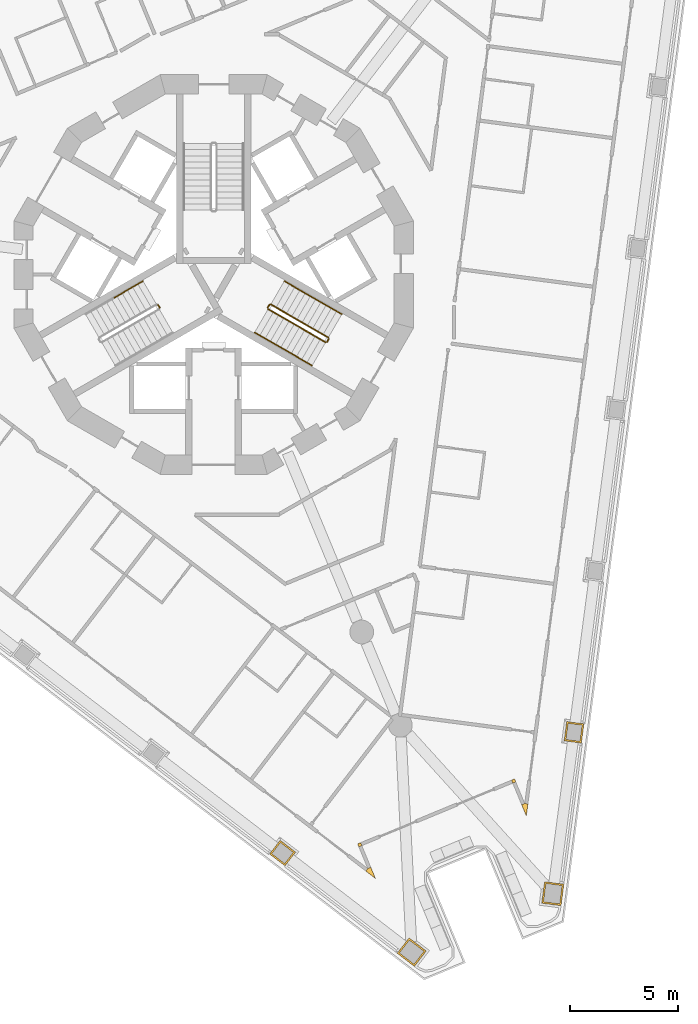
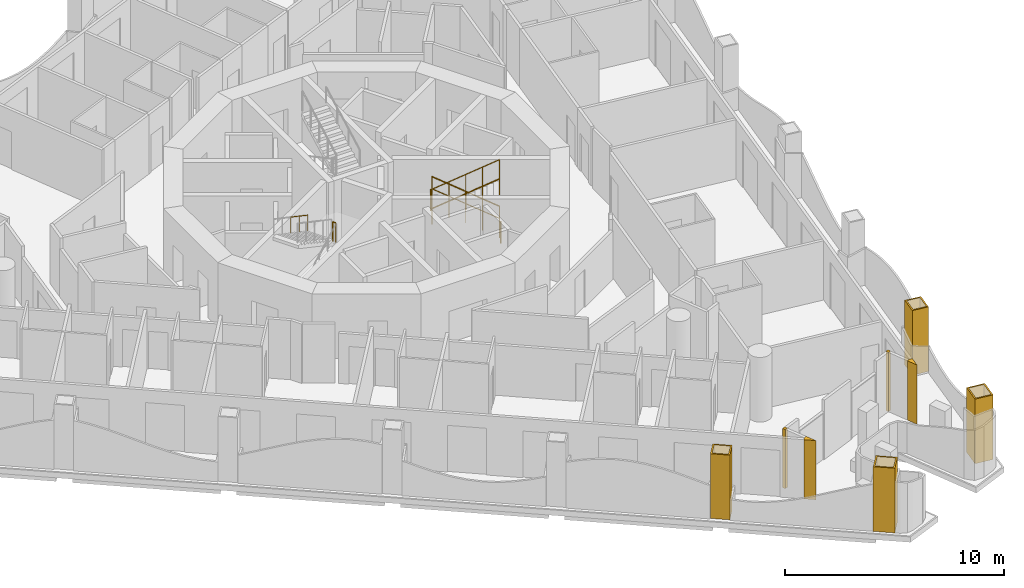
# One storey, part 14 of 18: 10 railings, 8 coverings.
"""IFC4 building model written with IfcOpenShell, lengths in metres."""

from ifc_helpers import new_model, si_unit, direction, frame, origin, origin_2d, place, context, subcontext, project, spatial, polyline, circle, outline, extrude, material, layer, layer_set, type_object, element, save


model = new_model("IFC4")

# Units and contexts
model_context = context("Model", 3, precision=1e-05, world=origin(), true_north=direction((0.0, 1.0)))
body_context = subcontext(model_context, "Body", "Model", "MODEL_VIEW")
ifc_project = project(units=[si_unit("LENGTHUNIT", "METRE"), si_unit("AREAUNIT", "SQUARE_METRE"), si_unit("VOLUMEUNIT", "CUBIC_METRE"), si_unit("PLANEANGLEUNIT", "RADIAN"), si_unit("MASSUNIT", "GRAM", prefix="KILO")], contexts=[model_context])

# Site, building, storey
site_placement = place(None, origin())
site = spatial("IfcSite", under=ifc_project, at=site_placement, CompositionType="ELEMENT")
building_placement = place(site_placement, origin())
building = spatial("IfcBuilding", under=site, at=building_placement, Name="Trine Commons Tower", CompositionType="ELEMENT")
storey_placement = place(building_placement, frame((0.0, 0.0, 142.199951171875)))
storey = spatial("IfcBuildingStorey", under=building, at=storey_placement, Name="L36", CompositionType="ELEMENT", Elevation=142.199951171875)

# Coverings
ifc_material_1 = material(Name="Aluminium-framed insulated wall panel", Category="aluminium")
ifc_layer_1 = layer(ifc_material_1, 0.14990234375)
ifc_layer_set_1 = layer_set([ifc_layer_1], Name="Aluminium-framed insulated wall panel")
covering_type_1 = type_object("IfcCoveringType", Name="Glazing corner post, aluminium", PredefinedType="CLADDING", material=ifc_layer_set_1)
covering_1_placement = place(storey_placement, origin())
element("IfcCovering", 1, at=covering_1_placement, inside=storey, type_object=covering_type_1, Name="Glazing corner post 4-09", PredefinedType="CLADDING", context=body_context, shape_type="SweptSolid", body=[
    extrude(outline(polyline([(94.2939453125, 37.89501953125), (94.50830078125, 37.377685546875), (94.581298828125, 37.932861328125), (94.4326171875, 37.952392578125), (94.4326171875, 37.952392578125), (94.2939453125, 37.89501953125)])), origin(), (0.0, 0.0, 1.0), 3.300048828125),
])
covering_2_placement = place(storey_placement, origin())
element("IfcCovering", 2, at=covering_2_placement, inside=storey, type_object=covering_type_1, Name="Glazing corner post 4-10", PredefinedType="CLADDING", context=body_context, shape_type="SweptSolid", body=[
    extrude(outline(polyline([(93.821044921875, 39.03662109375), (93.87841796875, 38.89794921875), (93.87841796875, 38.89794921875), (94.01708984375, 38.955322265625), (93.959716796875, 39.093994140625), (93.821044921875, 39.03662109375)])), origin(), (0.0, 0.0, 1.0), 3.300048828125),
])
covering_3_placement = place(storey_placement, origin())
element("IfcCovering", 3, at=covering_3_placement, inside=storey, type_object=covering_type_1, Name="Glazing corner post 4-11", PredefinedType="CLADDING", context=body_context, shape_type="SweptSolid", body=[
    extrude(outline(polyline([(86.73681640625, 35.93994140625), (86.87548828125, 35.997314453125), (86.818115234375, 36.135986328125), (86.679443359375, 36.07861328125), (86.73681640625, 35.93994140625)])), origin(), (0.0, 0.0, 1.0), 3.300048828125),
])
covering_4_placement = place(storey_placement, origin())
element("IfcCovering", 4, at=covering_4_placement, inside=storey, type_object=covering_type_1, Name="Glazing corner post 4-12", PredefinedType="CLADDING", context=body_context, shape_type="SweptSolid", body=[
    extrude(outline(polyline([(87.06103515625, 34.81787109375), (87.505126953125, 34.47705078125), (87.291015625, 34.994140625), (87.15234375, 34.936767578125), (87.06103515625, 34.81787109375)])), origin(), (0.0, 0.0, 1.0), 3.300048828125),
])
ifc_material_2 = material(Name="Limestone, honed", Category="masonry")
ifc_layer_2 = layer(ifc_material_2, 0.074951171875)
ifc_layer_set_2 = layer_set([ifc_layer_2], Name="Limestone, honed")
covering_type_2 = type_object("IfcCoveringType", Name="Limestone column cladding 75", PredefinedType="CLADDING", material=ifc_layer_set_2)
covering_5_placement = place(storey_placement, origin())
element("IfcCovering", 5, at=covering_5_placement, inside=storey, type_object=covering_type_2, Name="Limestone pier cladding 4-01", PredefinedType="CLADDING", context=body_context, shape_type="SweptSolid", body=[
    extrude(outline(polyline([(89.065673828125, 31.716796875), (88.517578125, 31.002685546875), (89.31103515625, 30.39404296875), (89.85888671875, 31.10791015625), (89.065673828125, 31.716796875)]), holes=[polyline([(89.079345703125, 31.611572265625), (88.622802734375, 31.0166015625), (89.297119140625, 30.499267578125), (89.75390625, 31.09423828125), (89.079345703125, 31.611572265625)])]), origin(), (0.0, 0.0, 1.0), 3.60009765625),
])
covering_6_placement = place(storey_placement, origin())
element("IfcCovering", 6, at=covering_6_placement, inside=storey, type_object=covering_type_2, Name="Limestone pier cladding 4-02", PredefinedType="CLADDING", context=body_context, shape_type="SweptSolid", body=[
    extrude(outline(polyline([(83.08349609375, 36.243896484375), (82.596435546875, 35.609375), (83.310302734375, 35.061279296875), (83.79736328125, 35.696044921875), (83.08349609375, 36.243896484375)]), holes=[polyline([(83.09716796875, 36.138916015625), (82.701416015625, 35.623046875), (83.296630859375, 35.16650390625), (83.6923828125, 35.682373046875), (83.09716796875, 36.138916015625)])]), origin(), (0.0, 0.0, 1.0), 3.60009765625),
])
covering_7_placement = place(storey_placement, origin())
element("IfcCovering", 7, at=covering_7_placement, inside=storey, type_object=covering_type_2, Name="Limestone pier cladding 4-23", PredefinedType="CLADDING", context=body_context, shape_type="SweptSolid", body=[
    extrude(outline(polyline([(97.1787109375, 41.6494140625), (96.385498046875, 41.75390625), (96.26806640625, 40.86181640625), (97.06103515625, 40.757080078125), (97.1787109375, 41.6494140625)]), holes=[polyline([(97.094482421875, 41.5849609375), (96.449951171875, 41.669921875), (96.35205078125, 40.92626953125), (96.99658203125, 40.84130859375), (97.094482421875, 41.5849609375)])]), origin(), (0.0, 0.0, 1.0), 3.60009765625),
])
covering_8_placement = place(storey_placement, origin())
element("IfcCovering", 8, at=covering_8_placement, inside=storey, type_object=covering_type_2, Name="Limestone pier cladding 4-24", PredefinedType="CLADDING", context=body_context, shape_type="SweptSolid", body=[
    extrude(outline(polyline([(96.2490234375, 34.205078125), (95.356689453125, 34.32275390625), (95.226318359375, 33.331298828125), (96.118408203125, 33.213623046875), (96.2490234375, 34.205078125)]), holes=[polyline([(96.164794921875, 34.140625), (95.42138671875, 34.238525390625), (95.310302734375, 33.395751953125), (96.053955078125, 33.2978515625), (96.164794921875, 34.140625)])]), origin(), (0.0, 0.0, 1.0), 3.60009765625),
])

# Railings
ifc_material_3 = material(Name="Stainless steel balustrade", Category="steel")
railing_type_1 = type_object("IfcRailingType", Name="Stair guard, steel balustrade 1100", PredefinedType="GUARDRAIL", material=ifc_material_3)
railing_1_placement = place(storey_placement, frame((77.490966796875, 60.96484375, 1.800048828125)))
element("IfcRailing", 9, at=railing_1_placement, inside=storey, type_object=railing_type_1, Name="L36 ST2B stair guard 2", PredefinedType="GUARDRAIL", context=body_context, shape_type="SweptSolid", body=[
    extrude(circle(Radius=0.02392578125, at=origin_2d()), frame((0.0, 0.0, 1.076171875), z_axis=(-0.501036270542, 0.865426285481, 0.0), x_axis=(-0.865426285481, -0.501036270542, 0.0)), (0.0, 0.0, 1.0), 0.150146484375),
    extrude(circle(Radius=0.02099609375, at=origin_2d()), origin(), (0.0, 0.0, 1.0), 1.052001953125),
    extrude(circle(Radius=0.02099609375, at=origin_2d()), frame((-0.0751953125, 0.1298828125, 0.0)), (0.0, 0.0, 1.0), 1.052001953125),
])
railing_2_placement = place(storey_placement, frame((85.31982421875, 59.572998046875, 0.150146484375)))
element("IfcRailing", 10, at=railing_2_placement, inside=storey, type_object=railing_type_1, Name="L36 ST3B stair guard 1", PredefinedType="GUARDRAIL", context=body_context, shape_type="SweptSolid", body=[
    extrude(circle(Radius=0.02392578125, at=origin_2d()), frame((0.0, 0.0, 1.076171875), z_axis=(-0.76340495495, 0.440743040072, 0.472184759798), x_axis=(-0.499992328818, -0.866029832698, 0.0)), (0.0, 0.0, 1.0), 3.494140625),
    extrude(circle(Radius=0.02099609375, at=origin_2d()), origin(), (0.0, 0.0, 1.0), 1.052001953125),
    extrude(circle(Radius=0.02099609375, at=origin_2d()), frame((-0.6669921875, 0.385009765625, 0.41259765625)), (0.0, 0.0, 1.0), 1.052001953125),
    extrude(circle(Radius=0.02099609375, at=origin_2d()), frame((-1.333740234375, 0.77001953125, 0.824951171875)), (0.0, 0.0, 1.0), 1.052001953125),
    extrude(circle(Radius=0.02099609375, at=origin_2d()), frame((-2.00048828125, 1.155029296875, 1.2373046875)), (0.0, 0.0, 1.0), 1.052001953125),
    extrude(circle(Radius=0.02099609375, at=origin_2d()), frame((-2.66748046875, 1.5400390625, 1.64990234375)), (0.0, 0.0, 1.0), 1.052001953125),
])
railing_3_placement = place(storey_placement, frame((82.584228515625, 61.0947265625, 1.800048828125)))
element("IfcRailing", 11, at=railing_3_placement, inside=storey, type_object=railing_type_1, Name="L36 ST3B stair guard 2", PredefinedType="GUARDRAIL", context=body_context, shape_type="SweptSolid", body=[
    extrude(circle(Radius=0.02392578125, at=origin_2d()), frame((0.0, 0.0, 1.076171875), z_axis=(-0.501036270542, -0.865426285481, 0.0), x_axis=(0.865426285481, -0.501036270542, 0.0)), (0.0, 0.0, 1.0), 0.150146484375),
    extrude(circle(Radius=0.02099609375, at=origin_2d()), origin(), (0.0, 0.0, 1.0), 1.052001953125),
    extrude(circle(Radius=0.02099609375, at=origin_2d()), frame((-0.0751953125, -0.1298828125, 0.0)), (0.0, 0.0, 1.0), 1.052001953125),
])
railing_4_placement = place(storey_placement, frame((82.52734375, 60.896484375, 1.949951171875)))
element("IfcRailing", 12, at=railing_4_placement, inside=storey, type_object=railing_type_1, Name="L36 ST3B stair guard 3", PredefinedType="GUARDRAIL", context=body_context, shape_type="SweptSolid", body=[
    extrude(circle(Radius=0.02392578125, at=origin_2d()), frame((0.0, 0.0, 1.076171875), z_axis=(0.763379768245, -0.440728498818, 0.472239049384), x_axis=(0.499992328818, 0.866029832698, 0.0)), (0.0, 0.0, 1.0), 3.494384765625),
    extrude(circle(Radius=0.02099609375, at=origin_2d()), origin(), (0.0, 0.0, 1.0), 1.052001953125),
    extrude(circle(Radius=0.02099609375, at=origin_2d()), frame((0.6669921875, -0.385009765625, 0.41259765625)), (0.0, 0.0, 1.0), 1.052001953125),
    extrude(circle(Radius=0.02099609375, at=origin_2d()), frame((1.333740234375, -0.77001953125, 0.8251953125)), (0.0, 0.0, 1.0), 1.052001953125),
    extrude(circle(Radius=0.02099609375, at=origin_2d()), frame((2.00048828125, -1.155029296875, 1.237548828125)), (0.0, 0.0, 1.0), 1.052001953125),
    extrude(circle(Radius=0.02099609375, at=origin_2d()), frame((2.66748046875, -1.5400390625, 1.650146484375)), (0.0, 0.0, 1.0), 1.052001953125),
])
railing_5_placement = place(storey_placement, frame((85.338134765625, 59.504638671875, 0.0)))
element("IfcRailing", 13, at=railing_5_placement, inside=storey, type_object=railing_type_1, Name="L36 ST3B stair guard 4", PredefinedType="GUARDRAIL", context=body_context, shape_type="SweptSolid", body=[
    extrude(circle(Radius=0.02392578125, at=origin_2d()), frame((0.0, 0.0, 1.076171875), z_axis=(-0.499816412211, -0.866131372301, 0.0), x_axis=(0.866131372301, -0.499816412211, 0.0)), (0.0, 0.0, 1.0), 0.14990234375),
    extrude(circle(Radius=0.02099609375, at=origin_2d()), origin(), (0.0, 0.0, 1.0), 1.052001953125),
    extrude(circle(Radius=0.02099609375, at=origin_2d()), frame((-0.074951171875, -0.1298828125, 0.0)), (0.0, 0.0, 1.0), 1.052001953125),
])
ifc_material_4 = material(Name="Stainless steel handrail", Category="steel")
railing_type_2 = type_object("IfcRailingType", Name="Stair handrail, steel 900", PredefinedType="HANDRAIL", material=ifc_material_4)
railing_6_placement = place(storey_placement, frame((76.72265625, 62.195556640625, 1.949951171875)))
element("IfcRailing", 14, at=railing_6_placement, inside=storey, type_object=railing_type_2, Name="L36 ST2B stair handrail 3", PredefinedType="HANDRAIL", context=body_context, shape_type="SweptSolid", body=[
    extrude(circle(Radius=0.02099609375, at=origin_2d()), frame((0.0, 0.0, 0.87890625), z_axis=(-0.763354580307, -0.440713956853, 0.472293333596), x_axis=(0.499992328818, -0.866029832698, 0.0)), (0.0, 0.0, 1.0), 1.747314453125),
    extrude(circle(Radius=0.01513671875, at=origin_2d()), origin(), (0.0, 0.0, 1.0), 0.85791015625),
    extrude(circle(Radius=0.01513671875, at=origin_2d()), frame((-0.6669921875, -0.385009765625, 0.41259765625)), (0.0, 0.0, 1.0), 0.85791015625),
    extrude(circle(Radius=0.01513671875, at=origin_2d()), frame((-1.333740234375, -0.77001953125, 0.8251953125)), (0.0, 0.0, 1.0), 0.85791015625),
])
for number, where, name in (
    (15, (85.94482421875, 60.655517578125, 0.150146484375), "L36 ST3B stair handrail 1"),
    (16, (84.611083984375, 61.425537109375, 0.97509765625), "L36 ST3B stair handrail 2"),
):
    element("IfcRailing", number, at=place(storey_placement, frame(where)), inside=storey, type_object=railing_type_2, Name=name, PredefinedType="HANDRAIL", context=body_context, shape_type="SweptSolid", body=[
        extrude(circle(Radius=0.02099609375, at=origin_2d()), frame((0.0, 0.0, 0.87890625), z_axis=(-0.76340495495, 0.440743040072, 0.472184759798), x_axis=(-0.499992328818, -0.866029832698, 0.0)), (0.0, 0.0, 1.0), 1.7470703125),
        extrude(circle(Radius=0.01513671875, at=origin_2d()), origin(), (0.0, 0.0, 1.0), 0.85791015625),
        extrude(circle(Radius=0.01513671875, at=origin_2d()), frame((-0.6669921875, 0.385009765625, 0.41259765625)), (0.0, 0.0, 1.0), 0.85791015625),
        extrude(circle(Radius=0.01513671875, at=origin_2d()), frame((-1.333740234375, 0.77001953125, 0.824951171875)), (0.0, 0.0, 1.0), 0.85791015625),
    ])
railing_7_placement = place(storey_placement, frame((81.90234375, 59.81396484375, 1.949951171875)))
element("IfcRailing", 17, at=railing_7_placement, inside=storey, type_object=railing_type_2, Name="L36 ST3B stair handrail 3", PredefinedType="HANDRAIL", context=body_context, shape_type="SweptSolid", body=[
    extrude(circle(Radius=0.02099609375, at=origin_2d()), frame((0.0, 0.0, 0.87890625), z_axis=(0.763354580307, -0.440713956853, 0.472293333596), x_axis=(0.499992328818, 0.866029832698, 0.0)), (0.0, 0.0, 1.0), 1.747314453125),
    extrude(circle(Radius=0.01513671875, at=origin_2d()), origin(), (0.0, 0.0, 1.0), 0.85791015625),
    extrude(circle(Radius=0.01513671875, at=origin_2d()), frame((0.6669921875, -0.385009765625, 0.41259765625)), (0.0, 0.0, 1.0), 0.85791015625),
    extrude(circle(Radius=0.01513671875, at=origin_2d()), frame((1.333740234375, -0.77001953125, 0.8251953125)), (0.0, 0.0, 1.0), 0.85791015625),
])
railing_8_placement = place(storey_placement, frame((83.236083984375, 59.0439453125, 2.775146484375)))
element("IfcRailing", 18, at=railing_8_placement, inside=storey, type_object=railing_type_2, Name="L36 ST3B stair handrail 4", PredefinedType="HANDRAIL", context=body_context, shape_type="SweptSolid", body=[
    extrude(circle(Radius=0.02099609375, at=origin_2d()), frame((0.0, 0.0, 0.87890625), z_axis=(0.76340495495, -0.440743040072, 0.472184759798), x_axis=(0.499992328818, 0.866029832698, 0.0)), (0.0, 0.0, 1.0), 1.7470703125),
    extrude(circle(Radius=0.01513671875, at=origin_2d()), origin(), (0.0, 0.0, 1.0), 0.85791015625),
    extrude(circle(Radius=0.01513671875, at=origin_2d()), frame((0.6669921875, -0.385009765625, 0.41259765625)), (0.0, 0.0, 1.0), 0.85791015625),
    extrude(circle(Radius=0.01513671875, at=origin_2d()), frame((1.333740234375, -0.77001953125, 0.824951171875)), (0.0, 0.0, 1.0), 0.85791015625),
])

save(model, "model.ifc")
